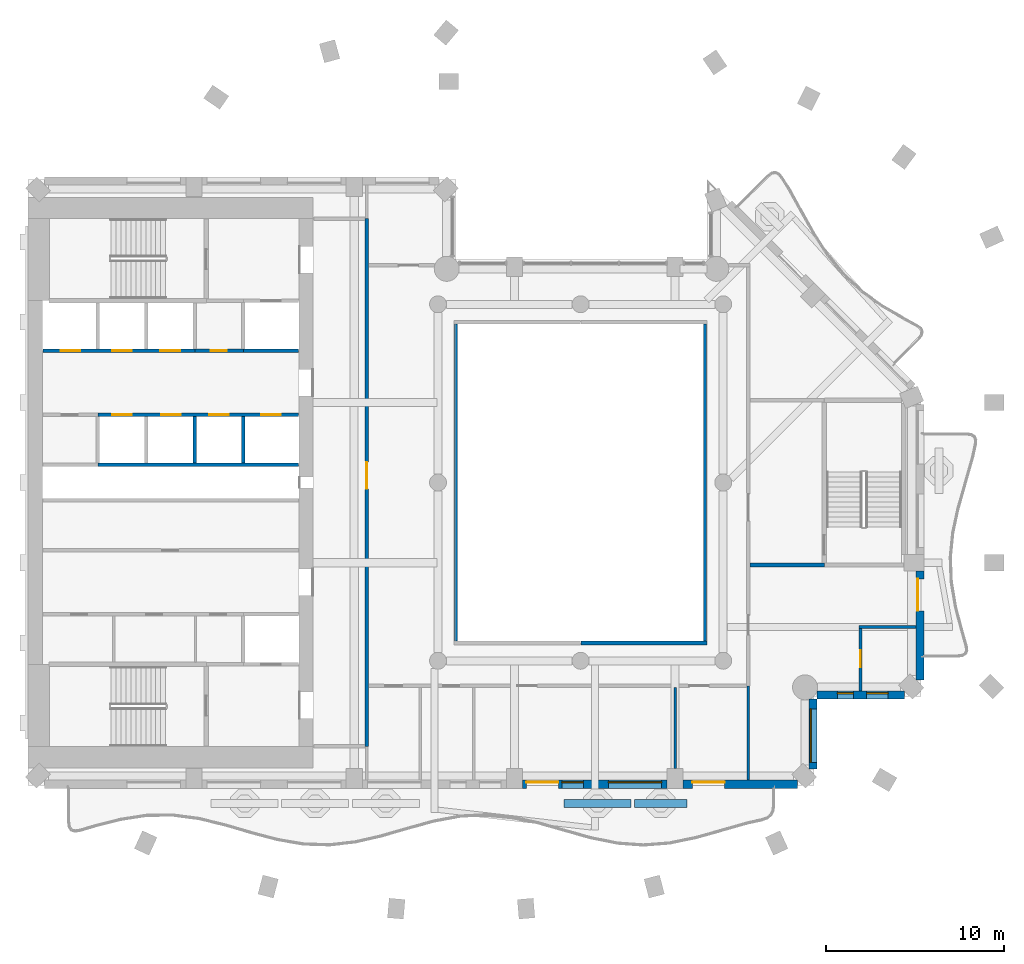
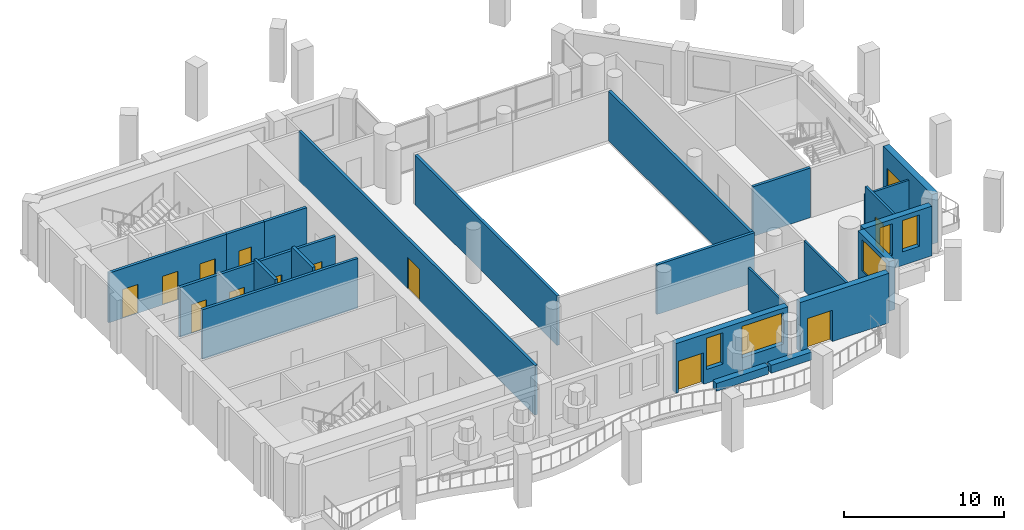
# One storey, part 5 of 14: 23 walls, 13 doors, 5 windows, 18 openings.
"""IFC4 building model written with IfcOpenShell, lengths in metres."""

from ifc_helpers import new_model, si_unit, direction, frame, frame_2d, origin, place, context, subcontext, project, spatial, rectangle, extrude, material, layer, layer_set, type_object, element, fill, save


model = new_model("IFC4")

# Units and contexts
model_context = context("Model", 3, precision=1e-05, world=origin(), true_north=direction((0.0, 1.0)))
body_context = subcontext(model_context, "Body", "Model", "MODEL_VIEW")
ifc_project = project(units=[si_unit("LENGTHUNIT", "METRE"), si_unit("AREAUNIT", "SQUARE_METRE"), si_unit("VOLUMEUNIT", "CUBIC_METRE"), si_unit("PLANEANGLEUNIT", "RADIAN"), si_unit("MASSUNIT", "GRAM", prefix="KILO")], contexts=[model_context])

# Site, building, storey
site_placement = place(None, origin())
site = spatial("IfcSite", under=ifc_project, at=site_placement, CompositionType="ELEMENT")
building_placement = place(site_placement, origin())
building = spatial("IfcBuilding", under=site, at=building_placement, Name="Cypress Arch Tower", CompositionType="ELEMENT")
storey_placement = place(building_placement, frame((0.0, 0.0, 226.10009765625)))
storey = spatial("IfcBuildingStorey", under=building, at=storey_placement, Name="L50", CompositionType="ELEMENT", Elevation=226.10009765625)

# Walls
ifc_material_1 = material(Name="Concrete C40/50, waterproofed", Category="concrete")
ifc_layer_1 = layer(ifc_material_1, 0.449951171875)
ifc_layer_set_1 = layer_set([ifc_layer_1], Name="Balcony planter wall PW450")
wall_type_1 = type_object("IfcWallType", Name="Balcony planter wall PW450", PredefinedType="SOLIDWALL", material=ifc_layer_set_1)
wall_1_placement = place(storey_placement, frame((0.070068359375, -18.0, 0.0), z_axis=(0.0, 0.0, 1.0), x_axis=(1.0, 0.0, 0.0)))
element("IfcWall", 1, at=wall_1_placement, inside=storey, type_object=wall_type_1, Name="Balcony planter wall L50-B01.4", PredefinedType="SOLIDWALL", context=body_context, shape_type="SweptSolid", body=[
    extrude(rectangle(XDim=3.760009765625, YDim=0.449951171875, at=frame_2d((1.8798828125, 0.0))), origin(), (0.0, 0.0, 1.0), 0.599853515625),
])
wall_2_placement = place(storey_placement, frame((4.030029296875, -18.0, 0.0), z_axis=(0.0, 0.0, 1.0), x_axis=(1.0, 0.0, 0.0)))
element("IfcWall", 2, at=wall_2_placement, inside=storey, type_object=wall_type_1, Name="Balcony planter wall L50-B01.5", PredefinedType="SOLIDWALL", context=body_context, shape_type="SweptSolid", body=[
    extrude(rectangle(XDim=2.945068359375, YDim=0.449951171875, at=frame_2d((1.47265625, 0.0))), origin(), (0.0, 0.0, 1.0), 0.599853515625),
])

# Wall, openings, door, windows
ifc_material_2 = material(Name="Brick (red buff blend)", Category="masonry")
ifc_layer_2 = layer(ifc_material_2, 0.449951171875)
ifc_layer_set_2 = layer_set([ifc_layer_2], Name="Brick pier and spandrel wall BW450")
wall_type_2 = type_object("IfcWallType", Name="Brick pier and spandrel wall BW450", PredefinedType="SOLIDWALL", material=ifc_layer_set_2)
wall_3_placement = place(storey_placement, frame((-2.25, -16.925048828125, 0.0), z_axis=(0.0, 0.0, 1.0), x_axis=(1.0, 0.0, 0.0)))
wall_3 = element("IfcWall", 3, at=wall_3_placement, inside=storey, type_object=wall_type_2, Name="Brick wall L50 B01.3", PredefinedType="SOLIDWALL", context=body_context, shape_type="SweptSolid", body=[
    extrude(rectangle(XDim=8.10009765625, YDim=0.449951171875, at=frame_2d((4.050048828125, 0.0))), origin(), (0.0, 0.0, 1.0), 3.7998046875),
])
opening_1_placement = place(wall_3_placement, frame((0.199951171875, 0.0, 0.0)))
opening_1 = element("IfcOpeningElement", 4, at=opening_1_placement, cuts=wall_3, Name="Opening D-L50-B01.3.1", PredefinedType="OPENING", context=body_context, shape_type="SweptSolid", body=[
    extrude(rectangle(XDim=1.800048828125, YDim=2.39990234375, at=frame_2d((0.89990234375, 1.199951171875))), frame((0.0, 0.23486328125, 0.0), z_axis=(0.0, -1.0, 0.0), x_axis=(1.0, 0.0, 0.0)), (0.0, 0.0, 1.0), 0.469970703125),
])
opening_2_placement = place(wall_3_placement, frame((2.199951171875, 0.0, 1.050048828125)))
opening_2 = element("IfcOpeningElement", 5, at=opening_2_placement, cuts=wall_3, Name="Opening W120OD", PredefinedType="OPENING", context=body_context, shape_type="SweptSolid", body=[
    extrude(rectangle(XDim=1.199951171875, YDim=2.39990234375, at=frame_2d((0.60009765625, 1.199951171875))), frame((0.0, 0.23486328125, 0.0), z_axis=(0.0, -1.0, 0.0), x_axis=(1.0, 0.0, 0.0)), (0.0, 0.0, 1.0), 0.469970703125),
])
opening_3_placement = place(wall_3_placement, frame((4.800048828125, 0.0, 1.050048828125)))
opening_3 = element("IfcOpeningElement", 6, at=opening_3_placement, cuts=wall_3, Name="Opening W300OD", PredefinedType="OPENING", context=body_context, shape_type="SweptSolid", body=[
    extrude(rectangle(XDim=3.0, YDim=2.39990234375, at=frame_2d((1.5, 1.199951171875))), frame((0.0, 0.23486328125, 0.0), z_axis=(0.0, -1.0, 0.0), x_axis=(1.0, 0.0, 0.0)), (0.0, 0.0, 1.0), 0.469970703125),
])
ifc_material_3 = material(Name="Anodised aluminium, bronze finish, laminated low-emissivity double glazing, large-missile impact rated", Category="aluminium")
door_type_1 = type_object("IfcDoorType", Name="Balcony sliding door 1800x2400", OperationType="SLIDING_TO_LEFT", PredefinedType="DOOR", material=ifc_material_3)
door_1_placement = place(opening_1_placement, origin())
door_1 = element("IfcDoor", 7, at=door_1_placement, inside=storey, type_object=door_type_1, Name="Balcony door L50 B01.3.1", OperationType="SLIDING_TO_LEFT", OverallHeight=2.39990234375, OverallWidth=1.800048828125, PredefinedType="DOOR", context=body_context, shape_type="SweptSolid", body=[
    extrude(rectangle(XDim=1.800048828125, YDim=2.39990234375, at=frame_2d((0.89990234375, 1.199951171875))), frame((0.0, 0.1298828125, 0.0), z_axis=(0.0, -1.0, 0.0), x_axis=(1.0, 0.0, 0.0)), (0.0, 0.0, 1.0), 0.050048828125),
])
fill(opening_1, door_1)
ifc_material_4 = material(Name="Anodised aluminium, bronze finish, laminated low-emissivity double glazing, large-missile impact rated", Category="aluminium")
window_type_1 = type_object("IfcWindowType", Name="Window Office 1200x2400 debris-rated", PartitioningType="SINGLE_PANEL", PredefinedType="WINDOW", material=ifc_material_4)
window_1_placement = place(opening_2_placement, origin())
window_1 = element("IfcWindow", 8, at=window_1_placement, inside=storey, type_object=window_type_1, Name="Window L50 B01.3.1", OverallHeight=2.39990234375, OverallWidth=1.199951171875, PartitioningType="SINGLE_PANEL", PredefinedType="WINDOW", context=body_context, shape_type="SweptSolid", body=[
    extrude(rectangle(XDim=1.199951171875, YDim=2.39990234375, at=frame_2d((0.60009765625, 1.199951171875))), frame((0.0, 0.135009765625, 0.0), z_axis=(0.0, -1.0, 0.0), x_axis=(1.0, 0.0, 0.0)), (0.0, 0.0, 1.0), 0.06005859375),
])
fill(opening_2, window_1)
ifc_material_5 = material(Name="Anodised aluminium, bronze finish, laminated low-emissivity double glazing, large-missile impact rated", Category="aluminium")
window_type_2 = type_object("IfcWindowType", Name="Window Office 3000x2400 debris-rated", PartitioningType="SINGLE_PANEL", PredefinedType="WINDOW", material=ifc_material_5)
window_2_placement = place(opening_3_placement, origin())
window_2 = element("IfcWindow", 9, at=window_2_placement, inside=storey, type_object=window_type_2, Name="Window L50 B01.3.2", OverallHeight=2.39990234375, OverallWidth=3.0, PartitioningType="SINGLE_PANEL", PredefinedType="WINDOW", context=body_context, shape_type="SweptSolid", body=[
    extrude(rectangle(XDim=3.0, YDim=2.39990234375, at=frame_2d((1.5, 1.199951171875))), frame((0.0, 0.135009765625, 0.0), z_axis=(0.0, -1.0, 0.0), x_axis=(1.0, 0.0, 0.0)), (0.0, 0.0, 1.0), 0.06005859375),
])
fill(opening_3, window_2)

# Wall, opening, door
wall_4_placement = place(storey_placement, frame((6.75, -16.925048828125, 0.0), z_axis=(0.0, 0.0, 1.0), x_axis=(1.0, 0.0, 0.0)))
wall_4 = element("IfcWall", 10, at=wall_4_placement, inside=storey, type_object=wall_type_2, Name="Brick wall L50 B01.4", PredefinedType="SOLIDWALL", context=body_context, shape_type="SweptSolid", body=[
    extrude(rectangle(XDim=6.41357421875, YDim=0.449951171875, at=frame_2d((3.206787109375, 0.0))), origin(), (0.0, 0.0, 1.0), 3.7998046875),
])
opening_4_placement = place(wall_4_placement, frame((0.52490234375, 0.0, 0.0)))
opening_4 = element("IfcOpeningElement", 11, at=opening_4_placement, cuts=wall_4, Name="Opening D-L50-B01.4.1", PredefinedType="OPENING", context=body_context, shape_type="SweptSolid", body=[
    extrude(rectangle(XDim=1.800048828125, YDim=2.39990234375, at=frame_2d((0.89990234375, 1.199951171875))), frame((0.0, 0.23486328125, 0.0), z_axis=(0.0, -1.0, 0.0), x_axis=(1.0, 0.0, 0.0)), (0.0, 0.0, 1.0), 0.469970703125),
])
door_2_placement = place(opening_4_placement, origin())
door_2 = element("IfcDoor", 12, at=door_2_placement, inside=storey, type_object=door_type_1, Name="Balcony door L50 B01.4.1", OperationType="SLIDING_TO_LEFT", OverallHeight=2.39990234375, OverallWidth=1.800048828125, PredefinedType="DOOR", context=body_context, shape_type="SweptSolid", body=[
    extrude(rectangle(XDim=1.800048828125, YDim=2.39990234375, at=frame_2d((0.89990234375, 1.199951171875))), frame((0.0, 0.1298828125, 0.0), z_axis=(0.0, -1.0, 0.0), x_axis=(1.0, 0.0, 0.0)), (0.0, 0.0, 1.0), 0.050048828125),
])
fill(opening_4, door_2)

# Wall, opening, window
wall_5_placement = place(storey_placement, frame((14.02490234375, -16.063720703125, 0.0), z_axis=(0.0, 0.0, 1.0), x_axis=(0.0, 1.0, 0.0)))
wall_5 = element("IfcWall", 13, at=wall_5_placement, inside=storey, type_object=wall_type_2, Name="Brick wall L50 B02.0", PredefinedType="SOLIDWALL", context=body_context, shape_type="SweptSolid", body=[
    extrude(rectangle(XDim=3.9091796875, YDim=0.449951171875, at=frame_2d((1.95458984375, 0.0))), origin(), (0.0, 0.0, 1.0), 3.7998046875),
])
opening_5_placement = place(wall_5_placement, frame((0.363525390625, 0.0, 1.050048828125)))
opening_5 = element("IfcOpeningElement", 14, at=opening_5_placement, cuts=wall_5, Name="Opening W300O", PredefinedType="OPENING", context=body_context, shape_type="SweptSolid", body=[
    extrude(rectangle(XDim=3.0, YDim=2.39990234375, at=frame_2d((1.5, 1.199951171875))), frame((0.0, 0.23486328125, 0.0), z_axis=(0.0, -1.0, 0.0), x_axis=(1.0, 0.0, 0.0)), (0.0, 0.0, 1.0), 0.469970703125),
])
ifc_material_6 = material(Name="Anodised aluminium, bronze finish, clear low-emissivity double glazing", Category="aluminium")
window_type_3 = type_object("IfcWindowType", Name="Window Office 3000x2400", PartitioningType="SINGLE_PANEL", PredefinedType="WINDOW", material=ifc_material_6)
window_3_placement = place(opening_5_placement, origin())
window_3 = element("IfcWindow", 15, at=window_3_placement, inside=storey, type_object=window_type_3, Name="Window L50 B02.0.1", OverallHeight=2.39990234375, OverallWidth=3.0, PartitioningType="SINGLE_PANEL", PredefinedType="WINDOW", context=body_context, shape_type="SweptSolid", body=[
    extrude(rectangle(XDim=3.0, YDim=2.39990234375, at=frame_2d((1.5, 1.199951171875))), frame((0.0, 0.135009765625, 0.0), z_axis=(0.0, -1.0, 0.0), x_axis=(1.0, 0.0, 0.0)), (0.0, 0.0, 1.0), 0.06005859375),
])
fill(opening_5, window_3)

# Wall, openings, windows
wall_6_placement = place(storey_placement, frame((14.254638671875, -11.925048828125, 0.0), z_axis=(0.0, 0.0, 1.0), x_axis=(1.0, 0.0, 0.0)))
wall_6 = element("IfcWall", 16, at=wall_6_placement, inside=storey, type_object=wall_type_2, Name="Brick wall L50 B03.0", PredefinedType="SOLIDWALL", context=body_context, shape_type="SweptSolid", body=[
    extrude(rectangle(XDim=4.908935546875, YDim=0.449951171875, at=frame_2d((2.45458984375, 0.0))), origin(), (0.0, 0.0, 1.0), 3.7998046875),
])
opening_6_placement = place(wall_6_placement, frame((1.1455078125, 0.0, 1.050048828125)))
opening_6 = element("IfcOpeningElement", 17, at=opening_6_placement, cuts=wall_6, Name="Opening W090O", PredefinedType="OPENING", context=body_context, shape_type="SweptSolid", body=[
    extrude(rectangle(XDim=0.89990234375, YDim=2.39990234375, at=frame_2d((0.449951171875, 1.199951171875))), frame((0.0, 0.23486328125, 0.0), z_axis=(0.0, -1.0, 0.0), x_axis=(1.0, 0.0, 0.0)), (0.0, 0.0, 1.0), 0.469970703125),
])
opening_7_placement = place(wall_6_placement, frame((2.79541015625, 0.0, 1.050048828125)))
opening_7 = element("IfcOpeningElement", 18, at=opening_7_placement, cuts=wall_6, Name="Opening W120O", PredefinedType="OPENING", context=body_context, shape_type="SweptSolid", body=[
    extrude(rectangle(XDim=1.199951171875, YDim=2.39990234375, at=frame_2d((0.60009765625, 1.199951171875))), frame((0.0, 0.23486328125, 0.0), z_axis=(0.0, -1.0, 0.0), x_axis=(1.0, 0.0, 0.0)), (0.0, 0.0, 1.0), 0.469970703125),
])
ifc_material_7 = material(Name="Anodised aluminium, bronze finish, clear low-emissivity double glazing", Category="aluminium")
window_type_4 = type_object("IfcWindowType", Name="Window Office 1200x2400", PartitioningType="SINGLE_PANEL", PredefinedType="WINDOW", material=ifc_material_7)
window_4_placement = place(opening_7_placement, origin())
window_4 = element("IfcWindow", 19, at=window_4_placement, inside=storey, type_object=window_type_4, Name="Window L50 B03.0.1b", OverallHeight=2.39990234375, OverallWidth=1.199951171875, PartitioningType="SINGLE_PANEL", PredefinedType="WINDOW", context=body_context, shape_type="SweptSolid", body=[
    extrude(rectangle(XDim=1.199951171875, YDim=2.39990234375, at=frame_2d((0.60009765625, 1.199951171875))), frame((0.0, 0.135009765625, 0.0), z_axis=(0.0, -1.0, 0.0), x_axis=(1.0, 0.0, 0.0)), (0.0, 0.0, 1.0), 0.06005859375),
])
fill(opening_7, window_4)
ifc_material_8 = material(Name="Anodised aluminium, bronze finish, clear low-emissivity double glazing", Category="aluminium")
window_type_5 = type_object("IfcWindowType", Name="Window Office 900x2400", PartitioningType="SINGLE_PANEL", PredefinedType="WINDOW", material=ifc_material_8)
window_5_placement = place(opening_6_placement, origin())
window_5 = element("IfcWindow", 20, at=window_5_placement, inside=storey, type_object=window_type_5, Name="Window L50 B03.0.1", OverallHeight=2.39990234375, OverallWidth=0.89990234375, PartitioningType="SINGLE_PANEL", PredefinedType="WINDOW", context=body_context, shape_type="SweptSolid", body=[
    extrude(rectangle(XDim=0.89990234375, YDim=2.39990234375, at=frame_2d((0.449951171875, 1.199951171875))), frame((0.0, 0.135009765625, 0.0), z_axis=(0.0, -1.0, 0.0), x_axis=(1.0, 0.0, 0.0)), (0.0, 0.0, 1.0), 0.06005859375),
])
fill(opening_6, window_5)

# Wall, opening, door
wall_7_placement = place(storey_placement, frame((20.02490234375, -11.063720703125, 0.0), z_axis=(0.0, 0.0, 1.0), x_axis=(0.0, 1.0, 0.0)))
wall_7 = element("IfcWall", 21, at=wall_7_placement, inside=storey, type_object=wall_type_2, Name="Brick wall L50 B04.0", PredefinedType="SOLIDWALL", context=body_context, shape_type="SweptSolid", body=[
    extrude(rectangle(XDim=6.11376953125, YDim=0.449951171875, at=frame_2d((3.056884765625, 0.0))), origin(), (0.0, 0.0, 1.0), 3.7998046875),
])
opening_8_placement = place(wall_7_placement, frame((3.863525390625, 0.0, 0.0)))
opening_8 = element("IfcOpeningElement", 22, at=opening_8_placement, cuts=wall_7, Name="Opening D-L50-B04.0.2", PredefinedType="OPENING", context=body_context, shape_type="SweptSolid", body=[
    extrude(rectangle(XDim=1.800048828125, YDim=2.39990234375, at=frame_2d((0.89990234375, 1.199951171875))), frame((0.0, 0.23486328125, 0.0), z_axis=(0.0, -1.0, 0.0), x_axis=(1.0, 0.0, 0.0)), (0.0, 0.0, 1.0), 0.469970703125),
])
door_3_placement = place(opening_8_placement, origin())
door_3 = element("IfcDoor", 23, at=door_3_placement, inside=storey, type_object=door_type_1, Name="Balcony door L50 B04.0.2", OperationType="SLIDING_TO_LEFT", OverallHeight=2.39990234375, OverallWidth=1.800048828125, PredefinedType="DOOR", context=body_context, shape_type="SweptSolid", body=[
    extrude(rectangle(XDim=1.800048828125, YDim=2.39990234375, at=frame_2d((0.89990234375, 1.199951171875))), frame((0.0, 0.1298828125, 0.0), z_axis=(0.0, -1.0, 0.0), x_axis=(1.0, 0.0, 0.0)), (0.0, 0.0, 1.0), 0.050048828125),
])
fill(opening_8, door_3)

ifc_material_9 = material(Name="Concrete blockwork, plastered, rated", Category="masonry")
ifc_layer_3 = layer(ifc_material_9, 0.199951171875)
ifc_layer_set_3 = layer_set([ifc_layer_3], Name="Corridor wall FW200")
wall_type_3 = type_object("IfcWallType", Name="Corridor wall FW200", PredefinedType="PARTITIONING", material=ifc_layer_set_3)
wall_8_placement = place(storey_placement, frame((-11.0, -14.800048828125, 0.0), z_axis=(0.0, 0.0, 1.0), x_axis=(0.0, 1.0, 0.0)))
wall_8 = element("IfcWall", 24, at=wall_8_placement, inside=storey, type_object=wall_type_3, Name="Corridor wall", PredefinedType="PARTITIONING", context=body_context, shape_type="SweptSolid", body=[
    extrude(rectangle(XDim=29.60009765625, YDim=0.199951171875, at=frame_2d((14.800048828125, 0.0))), origin(), (0.0, 0.0, 1.0), 3.7998046875),
])
opening_9_placement = place(wall_8_placement, frame((14.449951171875, 0.0, 0.0)))
opening_9 = element("IfcOpeningElement", 25, at=opening_9_placement, cuts=wall_8, Name="Opening D07", PredefinedType="OPENING", context=body_context, shape_type="SweptSolid", body=[
    extrude(rectangle(XDim=1.5, YDim=2.39990234375, at=frame_2d((0.75, 1.199951171875))), frame((0.0, 0.10986328125, 0.0), z_axis=(0.0, -1.0, 0.0), x_axis=(1.0, 0.0, 0.0)), (0.0, 0.0, 1.0), 0.219970703125),
])
ifc_material_10 = material(Name="Steel framed glazed door, fire resisting", Category="steel")
door_type_2 = type_object("IfcDoorType", Name="Lobby door D07 1500x2400", OperationType="DOUBLE_DOOR_SINGLE_SWING", PredefinedType="DOOR", material=ifc_material_10)
door_4_placement = place(opening_9_placement, origin())
door_4 = element("IfcDoor", 26, at=door_4_placement, inside=storey, type_object=door_type_2, Name="Lobby door", OperationType="DOUBLE_DOOR_SINGLE_SWING", OverallHeight=2.39990234375, OverallWidth=1.5, PredefinedType="DOOR", context=body_context, shape_type="SweptSolid", body=[
    extrude(rectangle(XDim=1.5, YDim=2.39990234375, at=frame_2d((0.75, 1.199951171875))), frame((0.0, 0.02490234375, 0.0), z_axis=(0.0, -1.0, 0.0), x_axis=(1.0, 0.0, 0.0)), (0.0, 0.0, 1.0), 0.050048828125),
])
fill(opening_9, door_4)

# Walls
wall_9_placement = place(storey_placement, frame((-6.0, -8.89990234375, 0.0), z_axis=(0.0, 0.0, 1.0), x_axis=(0.0, 1.0, 0.0)))
element("IfcWall", 27, at=wall_9_placement, inside=storey, type_object=wall_type_3, Name="Corridor wall", PredefinedType="PARTITIONING", context=body_context, shape_type="SweptSolid", body=[
    extrude(rectangle(XDim=17.7998046875, YDim=0.199951171875, at=frame_2d((8.89990234375, 0.0))), origin(), (0.0, 0.0, 1.0), 3.7998046875),
])
wall_10_placement = place(storey_placement, frame((1.02001953125, -9.0, 0.0), z_axis=(0.0, 0.0, 1.0), x_axis=(1.0, 0.0, 0.0)))
element("IfcWall", 28, at=wall_10_placement, inside=storey, type_object=wall_type_3, Name="Corridor wall", PredefinedType="PARTITIONING", context=body_context, shape_type="SweptSolid", body=[
    extrude(rectangle(XDim=7.080078125, YDim=0.199951171875, at=frame_2d((3.5400390625, 0.0))), origin(), (0.0, 0.0, 1.0), 3.7998046875),
])
wall_11_placement = place(storey_placement, frame((8.0, -8.89990234375, 0.0), z_axis=(0.0, 0.0, 1.0), x_axis=(0.0, 1.0, 0.0)))
element("IfcWall", 29, at=wall_11_placement, inside=storey, type_object=wall_type_3, Name="Corridor wall", PredefinedType="PARTITIONING", context=body_context, shape_type="SweptSolid", body=[
    extrude(rectangle(XDim=17.7998046875, YDim=0.199951171875, at=frame_2d((8.89990234375, 0.0))), origin(), (0.0, 0.0, 1.0), 3.7998046875),
])
wall_12_placement = place(storey_placement, frame((10.5, -4.625, 0.0), z_axis=(0.0, 0.0, 1.0), x_axis=(1.0, 0.0, 0.0)))
element("IfcWall", 30, at=wall_12_placement, inside=storey, type_object=wall_type_3, Name="Corridor wall", PredefinedType="PARTITIONING", context=body_context, shape_type="SweptSolid", body=[
    extrude(rectangle(XDim=4.175048828125, YDim=0.199951171875, at=frame_2d((2.08740234375, 0.0))), origin(), (0.0, 0.0, 1.0), 3.7998046875),
])
ifc_material_11 = material(Name="Blockwork, plastered both sides", Category="masonry")
ifc_layer_4 = layer(ifc_material_11, 0.14990234375)
ifc_layer_set_4 = layer_set([ifc_layer_4], Name="Partition PW150")
wall_type_4 = type_object("IfcWallType", Name="Partition PW150", PredefinedType="PARTITIONING", material=ifc_layer_set_4)
wall_13_placement = place(storey_placement, frame((6.300048828125, -16.050048828125, 0.0), z_axis=(0.0, 0.0, 1.0), x_axis=(0.0, 1.0, 0.0)))
element("IfcWall", 31, at=wall_13_placement, inside=storey, type_object=wall_type_4, Name="Partition", PredefinedType="PARTITIONING", context=body_context, shape_type="SweptSolid", body=[
    extrude(rectangle(XDim=4.550048828125, YDim=0.14990234375, at=frame_2d((2.27490234375, 0.0))), origin(), (0.0, 0.0, 1.0), 3.25),
])
wall_14_placement = place(storey_placement, frame((10.39990234375, -16.699951171875, 0.0), z_axis=(0.0, 0.0, 1.0), x_axis=(0.0, 1.0, 0.0)))
element("IfcWall", 32, at=wall_14_placement, inside=storey, type_object=wall_type_4, Name="Partition", PredefinedType="PARTITIONING", context=body_context, shape_type="SweptSolid", body=[
    extrude(rectangle(XDim=5.300048828125, YDim=0.14990234375, at=frame_2d((2.64990234375, 0.0))), origin(), (0.0, 0.0, 1.0), 3.7998046875),
])

# Wall, opening, door
wall_15_placement = place(storey_placement, frame((16.699951171875, -11.699951171875, 0.0), z_axis=(0.0, 0.0, 1.0), x_axis=(0.0, 1.0, 0.0)))
wall_15 = element("IfcWall", 33, at=wall_15_placement, inside=storey, type_object=wall_type_4, Name="Partition", PredefinedType="PARTITIONING", context=body_context, shape_type="SweptSolid", body=[
    extrude(rectangle(XDim=3.52490234375, YDim=0.14990234375, at=frame_2d((1.762451171875, 0.0))), origin(), (0.0, 0.0, 1.0), 3.7998046875),
])
opening_10_placement = place(wall_15_placement, frame((1.35009765625, 0.0, 0.0)))
opening_10 = element("IfcOpeningElement", 34, at=opening_10_placement, cuts=wall_15, Name="Opening D12", PredefinedType="OPENING", context=body_context, shape_type="SweptSolid", body=[
    extrude(rectangle(XDim=0.949951171875, YDim=2.199951171875, at=frame_2d((0.47509765625, 1.10009765625))), frame((0.0, 0.0849609375, 0.0), z_axis=(0.0, -1.0, 0.0), x_axis=(1.0, 0.0, 0.0)), (0.0, 0.0, 1.0), 0.169921875),
])
ifc_material_12 = material(Name="Timber flush door", Category="wood")
door_type_3 = type_object("IfcDoorType", Name="Room door D12 950x2200", OperationType="SINGLE_SWING_LEFT", PredefinedType="DOOR", material=ifc_material_12)
door_5_placement = place(opening_10_placement, origin())
door_5 = element("IfcDoor", 35, at=door_5_placement, inside=storey, type_object=door_type_3, Name="Room door", OperationType="SINGLE_SWING_RIGHT", OverallHeight=2.199951171875, OverallWidth=0.949951171875, PredefinedType="DOOR", context=body_context, shape_type="SweptSolid", body=[
    extrude(rectangle(XDim=0.949951171875, YDim=2.199951171875, at=frame_2d((0.47509765625, 1.10009765625))), frame((0.0, 0.02490234375, 0.0), z_axis=(0.0, -1.0, 0.0), x_axis=(1.0, 0.0, 0.0)), (0.0, 0.0, 1.0), 0.050048828125),
])
fill(opening_10, door_5)

# Wall
wall_16_placement = place(storey_placement, frame((16.625, -8.10009765625, 0.0), z_axis=(0.0, 0.0, 1.0), x_axis=(1.0, 0.0, 0.0)))
element("IfcWall", 36, at=wall_16_placement, inside=storey, type_object=wall_type_4, Name="Partition", PredefinedType="PARTITIONING", context=body_context, shape_type="SweptSolid", body=[
    extrude(rectangle(XDim=3.175048828125, YDim=0.14990234375, at=frame_2d((1.58740234375, 0.0))), origin(), (0.0, 0.0, 1.0), 3.14990234375),
])

# Wall, opening, door
ifc_material_13 = material(Name="Reinforced blockwork, plastered, rated", Category="masonry")
ifc_layer_5 = layer(ifc_material_13, 0.199951171875)
ifc_layer_set_5 = layer_set([ifc_layer_5], Name="Plant and riser wall PL200")
wall_type_5 = type_object("IfcWallType", Name="Plant and riser wall PL200", PredefinedType="PARTITIONING", material=ifc_layer_set_5)
wall_17_placement = place(storey_placement, frame((-20.639892578125, 7.39990234375, 0.0), z_axis=(0.0, 0.0, 1.0), x_axis=(1.0, 0.0, 0.0)))
wall_17 = element("IfcWall", 37, at=wall_17_placement, inside=storey, type_object=wall_type_5, Name="Plant and riser wall", PredefinedType="PARTITIONING", context=body_context, shape_type="SweptSolid", body=[
    extrude(rectangle(XDim=2.719970703125, YDim=0.199951171875, at=frame_2d((1.35986328125, 0.0))), origin(), (0.0, 0.0, 1.0), 3.7998046875),
])
opening_11_placement = place(wall_17_placement, frame((0.89990234375, 0.0, 0.0)))
opening_11 = element("IfcOpeningElement", 38, at=opening_11_placement, cuts=wall_17, Name="Opening D05", PredefinedType="OPENING", context=body_context, shape_type="SweptSolid", body=[
    extrude(rectangle(XDim=0.89990234375, YDim=2.199951171875, at=frame_2d((0.449951171875, 1.10009765625))), frame((0.0, 0.10986328125, 0.0), z_axis=(0.0, -1.0, 0.0), x_axis=(1.0, 0.0, 0.0)), (0.0, 0.0, 1.0), 0.219970703125),
])
ifc_material_14 = material(Name="Timber flush door", Category="wood")
door_type_4 = type_object("IfcDoorType", Name="Service door D05 900x2200", OperationType="SINGLE_SWING_LEFT", PredefinedType="DOOR", material=ifc_material_14)
door_6_placement = place(opening_11_placement, origin())
door_6 = element("IfcDoor", 39, at=door_6_placement, inside=storey, type_object=door_type_4, Name="Service door", OperationType="SINGLE_SWING_LEFT", OverallHeight=2.199951171875, OverallWidth=0.89990234375, PredefinedType="DOOR", context=body_context, shape_type="SweptSolid", body=[
    extrude(rectangle(XDim=0.89990234375, YDim=2.199951171875, at=frame_2d((0.449951171875, 1.10009765625))), frame((0.0, 0.02490234375, 0.0), z_axis=(0.0, -1.0, 0.0), x_axis=(1.0, 0.0, 0.0)), (0.0, 0.0, 1.0), 0.050048828125),
])
fill(opening_11, door_6)

# Wall, openings, doors
ifc_material_15 = material(Name="Concrete C50/60", Category="concrete")
ifc_layer_6 = layer(ifc_material_15, 0.199951171875)
ifc_layer_set_6 = layer_set([ifc_layer_6], Name="Shaft wall SH200")
wall_type_6 = type_object("IfcWallType", Name="Shaft wall SH200", PredefinedType="SHEAR", material=ifc_layer_set_6)
wall_18_placement = place(storey_placement, frame((-29.169921875, 7.39990234375, 0.0), z_axis=(0.0, 0.0, 1.0), x_axis=(1.0, 0.0, 0.0)))
wall_18 = element("IfcWall", 40, at=wall_18_placement, inside=storey, type_object=wall_type_6, Name="Shaft wall", PredefinedType="SHEAR", context=body_context, shape_type="SweptSolid", body=[
    extrude(rectangle(XDim=8.530029296875, YDim=0.199951171875, at=frame_2d((4.26513671875, 0.0))), origin(), (0.0, 0.0, 1.0), 3.7998046875),
])
opening_12_placement = place(wall_18_placement, frame((1.0, 0.0, 0.0)))
opening_12 = element("IfcOpeningElement", 41, at=opening_12_placement, cuts=wall_18, Name="Opening LD-HR5", PredefinedType="OPENING", context=body_context, shape_type="SweptSolid", body=[
    extrude(rectangle(XDim=1.10009765625, YDim=2.199951171875, at=frame_2d((0.550048828125, 1.10009765625))), frame((0.0, 0.10986328125, 0.0), z_axis=(0.0, -1.0, 0.0), x_axis=(1.0, 0.0, 0.0)), (0.0, 0.0, 1.0), 0.219970703125),
])
opening_13_placement = place(wall_18_placement, frame((3.89990234375, 0.0, 0.0)))
opening_13 = element("IfcOpeningElement", 42, at=opening_13_placement, cuts=wall_18, Name="Opening LD-HR6", PredefinedType="OPENING", context=body_context, shape_type="SweptSolid", body=[
    extrude(rectangle(XDim=1.10009765625, YDim=2.199951171875, at=frame_2d((0.550048828125, 1.10009765625))), frame((0.0, 0.10986328125, 0.0), z_axis=(0.0, -1.0, 0.0), x_axis=(1.0, 0.0, 0.0)), (0.0, 0.0, 1.0), 0.219970703125),
])
opening_14_placement = place(wall_18_placement, frame((6.60009765625, 0.0, 0.0)))
opening_14 = element("IfcOpeningElement", 43, at=opening_14_placement, cuts=wall_18, Name="Opening LD-HR7", PredefinedType="OPENING", context=body_context, shape_type="SweptSolid", body=[
    extrude(rectangle(XDim=1.10009765625, YDim=2.199951171875, at=frame_2d((0.550048828125, 1.10009765625))), frame((0.0, 0.10986328125, 0.0), z_axis=(0.0, -1.0, 0.0), x_axis=(1.0, 0.0, 0.0)), (0.0, 0.0, 1.0), 0.219970703125),
])
ifc_material_16 = material(Name="Stainless steel centre-opening landing door, rated", Category="steel")
door_type_5 = type_object("IfcDoorType", Name="Lift landing door LD 1100x2200", OperationType="DOUBLE_DOOR_SLIDING", PredefinedType="DOOR", material=ifc_material_16)
door_7_placement = place(opening_12_placement, origin())
door_7 = element("IfcDoor", 44, at=door_7_placement, inside=storey, type_object=door_type_5, Name="Lift landing doors HR5", OperationType="DOUBLE_DOOR_SLIDING", OverallHeight=2.199951171875, OverallWidth=1.10009765625, PredefinedType="DOOR", context=body_context, shape_type="SweptSolid", body=[
    extrude(rectangle(XDim=1.10009765625, YDim=2.199951171875, at=frame_2d((0.550048828125, 1.10009765625))), frame((0.0, 0.02490234375, 0.0), z_axis=(0.0, -1.0, 0.0), x_axis=(1.0, 0.0, 0.0)), (0.0, 0.0, 1.0), 0.050048828125),
])
fill(opening_12, door_7)
door_8_placement = place(opening_13_placement, origin())
door_8 = element("IfcDoor", 45, at=door_8_placement, inside=storey, type_object=door_type_5, Name="Lift landing doors HR6", OperationType="DOUBLE_DOOR_SLIDING", OverallHeight=2.199951171875, OverallWidth=1.10009765625, PredefinedType="DOOR", context=body_context, shape_type="SweptSolid", body=[
    extrude(rectangle(XDim=1.10009765625, YDim=2.199951171875, at=frame_2d((0.550048828125, 1.10009765625))), frame((0.0, 0.02490234375, 0.0), z_axis=(0.0, -1.0, 0.0), x_axis=(1.0, 0.0, 0.0)), (0.0, 0.0, 1.0), 0.050048828125),
])
fill(opening_13, door_8)
door_9_placement = place(opening_14_placement, origin())
door_9 = element("IfcDoor", 46, at=door_9_placement, inside=storey, type_object=door_type_5, Name="Lift landing doors HR7", OperationType="DOUBLE_DOOR_SLIDING", OverallHeight=2.199951171875, OverallWidth=1.10009765625, PredefinedType="DOOR", context=body_context, shape_type="SweptSolid", body=[
    extrude(rectangle(XDim=1.10009765625, YDim=2.199951171875, at=frame_2d((0.550048828125, 1.10009765625))), frame((0.0, 0.02490234375, 0.0), z_axis=(0.0, -1.0, 0.0), x_axis=(1.0, 0.0, 0.0)), (0.0, 0.0, 1.0), 0.050048828125),
])
fill(opening_14, door_9)

# Wall
wall_19_placement = place(storey_placement, frame((-26.080078125, 1.0, 0.0), z_axis=(0.0, 0.0, 1.0), x_axis=(1.0, 0.0, 0.0)))
element("IfcWall", 47, at=wall_19_placement, inside=storey, type_object=wall_type_6, Name="Shaft wall", PredefinedType="SHEAR", context=body_context, shape_type="SweptSolid", body=[
    extrude(rectangle(XDim=11.25, YDim=0.199951171875, at=frame_2d((5.625, 0.0))), origin(), (0.0, 0.0, 1.0), 3.7998046875),
])

# Wall, openings, doors
wall_20_placement = place(storey_placement, frame((-26.080078125, 3.800048828125, 0.0), z_axis=(0.0, 0.0, 1.0), x_axis=(1.0, 0.0, 0.0)))
wall_20 = element("IfcWall", 48, at=wall_20_placement, inside=storey, type_object=wall_type_6, Name="Shaft wall", PredefinedType="SHEAR", context=body_context, shape_type="SweptSolid", body=[
    extrude(rectangle(XDim=11.25, YDim=0.199951171875, at=frame_2d((5.625, 0.0))), origin(), (0.0, 0.0, 1.0), 3.7998046875),
])
opening_15_placement = place(wall_20_placement, frame((0.800048828125, 0.0, 0.0)))
opening_15 = element("IfcOpeningElement", 49, at=opening_15_placement, cuts=wall_20, Name="Opening LD-HR1", PredefinedType="OPENING", context=body_context, shape_type="SweptSolid", body=[
    extrude(rectangle(XDim=1.10009765625, YDim=2.199951171875, at=frame_2d((0.550048828125, 1.10009765625))), frame((0.0, 0.10986328125, 0.0), z_axis=(0.0, -1.0, 0.0), x_axis=(1.0, 0.0, 0.0)), (0.0, 0.0, 1.0), 0.219970703125),
])
opening_16_placement = place(wall_20_placement, frame((3.550048828125, 0.0, 0.0)))
opening_16 = element("IfcOpeningElement", 50, at=opening_16_placement, cuts=wall_20, Name="Opening LD-HR2", PredefinedType="OPENING", context=body_context, shape_type="SweptSolid", body=[
    extrude(rectangle(XDim=1.10009765625, YDim=2.199951171875, at=frame_2d((0.550048828125, 1.10009765625))), frame((0.0, 0.10986328125, 0.0), z_axis=(0.0, -1.0, 0.0), x_axis=(1.0, 0.0, 0.0)), (0.0, 0.0, 1.0), 0.219970703125),
])
opening_17_placement = place(wall_20_placement, frame((6.25, 0.0, 0.0)))
opening_17 = element("IfcOpeningElement", 51, at=opening_17_placement, cuts=wall_20, Name="Opening LD-HR3", PredefinedType="OPENING", context=body_context, shape_type="SweptSolid", body=[
    extrude(rectangle(XDim=1.10009765625, YDim=2.199951171875, at=frame_2d((0.550048828125, 1.10009765625))), frame((0.0, 0.10986328125, 0.0), z_axis=(0.0, -1.0, 0.0), x_axis=(1.0, 0.0, 0.0)), (0.0, 0.0, 1.0), 0.219970703125),
])
opening_18_placement = place(wall_20_placement, frame((9.14990234375, 0.0, 0.0)))
opening_18 = element("IfcOpeningElement", 52, at=opening_18_placement, cuts=wall_20, Name="Opening LD-HR4", PredefinedType="OPENING", context=body_context, shape_type="SweptSolid", body=[
    extrude(rectangle(XDim=1.10009765625, YDim=2.199951171875, at=frame_2d((0.550048828125, 1.10009765625))), frame((0.0, 0.10986328125, 0.0), z_axis=(0.0, -1.0, 0.0), x_axis=(1.0, 0.0, 0.0)), (0.0, 0.0, 1.0), 0.219970703125),
])
door_10_placement = place(opening_15_placement, origin())
door_10 = element("IfcDoor", 53, at=door_10_placement, inside=storey, type_object=door_type_5, Name="Lift landing doors HR1", OperationType="DOUBLE_DOOR_SLIDING", OverallHeight=2.199951171875, OverallWidth=1.10009765625, PredefinedType="DOOR", context=body_context, shape_type="SweptSolid", body=[
    extrude(rectangle(XDim=1.10009765625, YDim=2.199951171875, at=frame_2d((0.550048828125, 1.10009765625))), frame((0.0, 0.02490234375, 0.0), z_axis=(0.0, -1.0, 0.0), x_axis=(1.0, 0.0, 0.0)), (0.0, 0.0, 1.0), 0.050048828125),
])
fill(opening_15, door_10)
door_11_placement = place(opening_16_placement, origin())
door_11 = element("IfcDoor", 54, at=door_11_placement, inside=storey, type_object=door_type_5, Name="Lift landing doors HR2", OperationType="DOUBLE_DOOR_SLIDING", OverallHeight=2.199951171875, OverallWidth=1.10009765625, PredefinedType="DOOR", context=body_context, shape_type="SweptSolid", body=[
    extrude(rectangle(XDim=1.10009765625, YDim=2.199951171875, at=frame_2d((0.550048828125, 1.10009765625))), frame((0.0, 0.02490234375, 0.0), z_axis=(0.0, -1.0, 0.0), x_axis=(1.0, 0.0, 0.0)), (0.0, 0.0, 1.0), 0.050048828125),
])
fill(opening_16, door_11)
door_12_placement = place(opening_17_placement, origin())
door_12 = element("IfcDoor", 55, at=door_12_placement, inside=storey, type_object=door_type_5, Name="Lift landing doors HR3", OperationType="DOUBLE_DOOR_SLIDING", OverallHeight=2.199951171875, OverallWidth=1.10009765625, PredefinedType="DOOR", context=body_context, shape_type="SweptSolid", body=[
    extrude(rectangle(XDim=1.10009765625, YDim=2.199951171875, at=frame_2d((0.550048828125, 1.10009765625))), frame((0.0, 0.02490234375, 0.0), z_axis=(0.0, -1.0, 0.0), x_axis=(1.0, 0.0, 0.0)), (0.0, 0.0, 1.0), 0.050048828125),
])
fill(opening_17, door_12)
door_13_placement = place(opening_18_placement, origin())
door_13 = element("IfcDoor", 56, at=door_13_placement, inside=storey, type_object=door_type_5, Name="Lift landing doors HR4", OperationType="DOUBLE_DOOR_SLIDING", OverallHeight=2.199951171875, OverallWidth=1.10009765625, PredefinedType="DOOR", context=body_context, shape_type="SweptSolid", body=[
    extrude(rectangle(XDim=1.10009765625, YDim=2.199951171875, at=frame_2d((0.550048828125, 1.10009765625))), frame((0.0, 0.02490234375, 0.0), z_axis=(0.0, -1.0, 0.0), x_axis=(1.0, 0.0, 0.0)), (0.0, 0.0, 1.0), 0.050048828125),
])
fill(opening_18, door_13)

# Walls
for number, where, z_axis, x_axis, name in (
    (57, (-20.639892578125, 1.10009765625, 0.0), (0.0, 0.0, 1.0), (0.0, 1.0, 0.0), "Shaft wall"),
    (58, (-17.919921875, 1.10009765625, 0.0), (0.0, 0.0, 1.0), (0.0, 1.0, 0.0), "Shaft wall"),
):
    element("IfcWall", number, at=place(storey_placement, frame(where, z_axis=z_axis, x_axis=x_axis)), inside=storey, type_object=wall_type_6, Name=name, PredefinedType="SHEAR", context=body_context, shape_type="SweptSolid", body=[
        extrude(rectangle(XDim=2.599853515625, YDim=0.199951171875, at=frame_2d((1.2998046875, 0.0))), origin(), (0.0, 0.0, 1.0), 4.099853515625),
    ])
wall_21_placement = place(storey_placement, frame((-17.919921875, 7.39990234375, 0.0), z_axis=(0.0, 0.0, 1.0), x_axis=(1.0, 0.0, 0.0)))
element("IfcWall", 59, at=wall_21_placement, inside=storey, type_object=wall_type_6, Name="Shaft wall", PredefinedType="SHEAR", context=body_context, shape_type="SweptSolid", body=[
    extrude(rectangle(XDim=3.08984375, YDim=0.199951171875, at=frame_2d((1.544921875, 0.0))), origin(), (0.0, 0.0, 1.0), 3.7998046875),
])

save(model, "model.ifc")
